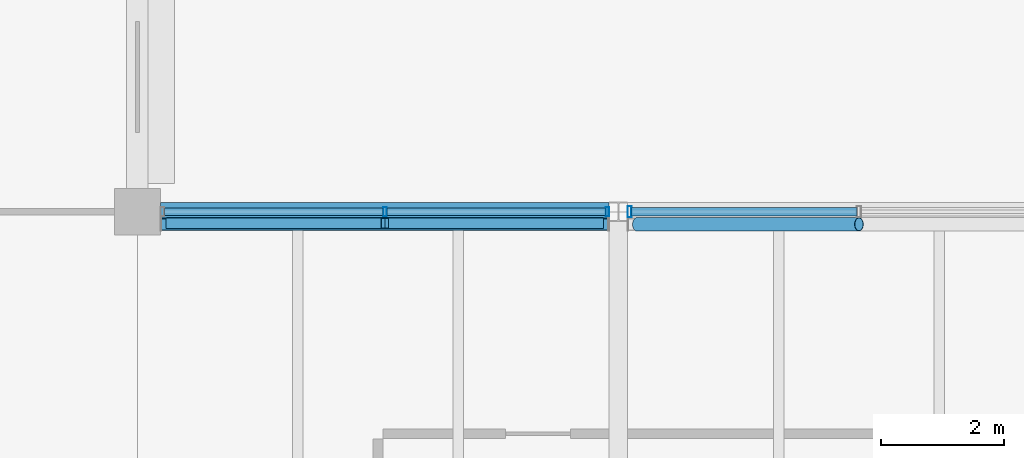
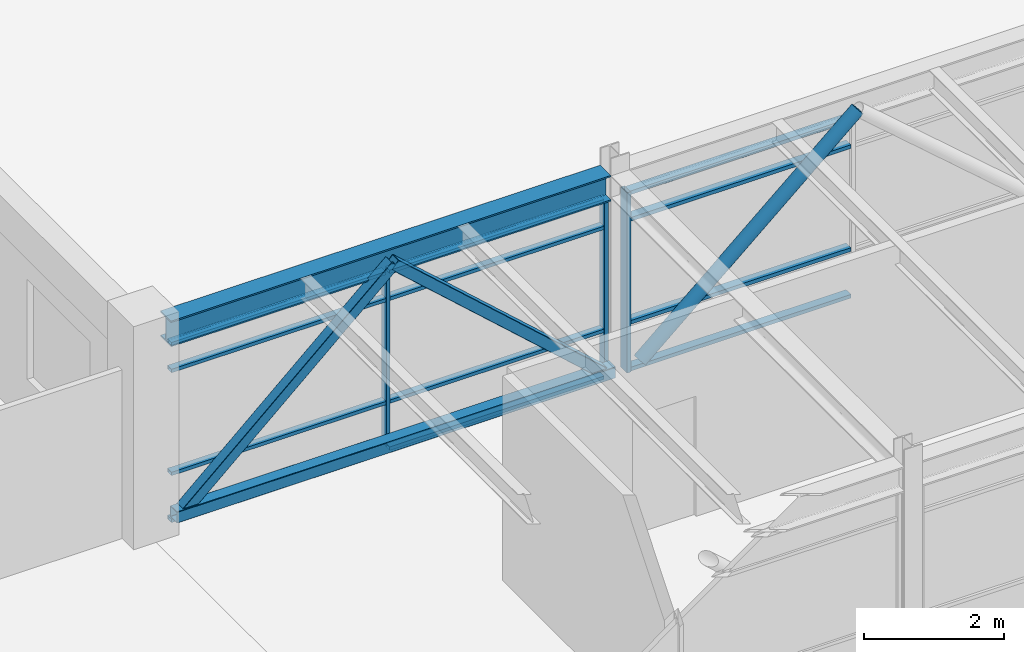
# One storey, part 13 of 72: 19 members, 1 beam, 2 elements without a shape of their own.
"""IFC4 building model written with IfcOpenShell, lengths in metres."""

import ifcopenshell
import ifcopenshell.guid

model = None  # the IFC model being written
_history = None  # IfcOwnerHistory: only IFC2X3 demands one
_inside = {}  # id of a spatial element -> (the spatial element, [elements in it])
_under = {}  # id of a project, library or spatial element -> (it, [spatial elements below it])
_declared = {}  # id of a project -> (the project, [libraries it declares])
_typed = {}  # id of a type object -> (the type object, [elements of that type])
_made_of = {}  # id of a material, layer set ... -> (it, [elements and type objects made of it])


def new_model(schema):
    """Start an empty IFC model of exactly this schema.

    Asked for "IFC4X3", IfcOpenShell would pick the latest addendum, in which some entities
    have other attributes; the version numbers below select the first issue.
    IFC2X3 requires an IfcOwnerHistory on every rooted entity: one is made here for all.
    """
    global model, _history
    if schema == "IFC4X3":
        model = ifcopenshell.file(schema_version=(4, 3, 0, 0))
    else:
        model = ifcopenshell.file(schema=schema)
    _inside.clear()
    _under.clear()
    _declared.clear()
    _typed.clear()
    _made_of.clear()
    _history = None
    if model.schema == "IFC2X3":
        org = make("IfcOrganization", Name="unknown")
        user = make(
            "IfcPersonAndOrganization",
            ThePerson=make("IfcPerson", FamilyName="unknown"),
            TheOrganization=org,
        )
        app = make(
            "IfcApplication",
            ApplicationDeveloper=org,
            Version="unknown",
            ApplicationFullName="unknown",
            ApplicationIdentifier="unknown",
        )
        _history = make(
            "IfcOwnerHistory",
            OwningUser=user,
            OwningApplication=app,
            ChangeAction="ADDED",
            CreationDate=0,
        )
    return model


def make(cls, **values):
    """One entity of the class cls with the attributes given. An attribute that is None is left unset."""
    return model.create_entity(
        cls, **{name: value for name, value in values.items() if value is not None}
    )


def rooted(cls, **values):
    """An entity with a GlobalId (a new one), such as an element, a storey or a relation."""
    return make(cls, GlobalId=ifcopenshell.guid.new(), OwnerHistory=_history, **values)


def si_unit(unit_type, name, prefix=None):
    """IfcSIUnit, for example si_unit("LENGTHUNIT", "METRE", prefix="MILLI")."""
    return make("IfcSIUnit", UnitType=unit_type, Prefix=prefix, Name=name)


def assignment(units):
    """IfcUnitAssignment: the units of a project."""
    return None if units is None else make("IfcUnitAssignment", Units=units)


def point(xyz):
    """IfcCartesianPoint."""
    return None if xyz is None else make("IfcCartesianPoint", Coordinates=xyz)


def direction(xyz):
    """IfcDirection."""
    return None if xyz is None else make("IfcDirection", DirectionRatios=xyz)


def frame(location, z_axis=None, x_axis=None):
    """IfcAxis2Placement3D, a coordinate frame: its origin and axes. An axis left out is left unset."""
    return make(
        "IfcAxis2Placement3D",
        Location=point(location),
        Axis=direction(z_axis),
        RefDirection=direction(x_axis),
    )


def frame_2d(location, x_axis=None):
    """IfcAxis2Placement2D, a coordinate frame in the plane: its origin and x axis."""
    return make(
        "IfcAxis2Placement2D", Location=point(location), RefDirection=direction(x_axis)
    )


def origin():
    """The frame at (0, 0, 0) with its axes left unset."""
    return frame((0.0, 0.0, 0.0))


def origin_2d():
    """The frame at (0, 0) in the plane with its x axis left unset."""
    return frame_2d((0.0, 0.0))


def place(relative_to, where):
    """IfcLocalPlacement: puts the frame where relative to a parent placement (None: the world)."""
    return make(
        "IfcLocalPlacement", PlacementRelTo=relative_to, RelativePlacement=where
    )


def context(
    kind, dimensions, precision=None, world=None, true_north=None, identifier=None
):
    """IfcGeometricRepresentationContext, for example the 3D "Model" context."""
    return make(
        "IfcGeometricRepresentationContext",
        ContextIdentifier=identifier,
        ContextType=kind,
        CoordinateSpaceDimension=dimensions,
        Precision=precision,
        WorldCoordinateSystem=world,
        TrueNorth=true_north,
    )


def subcontext(parent, identifier, kind, view, scale=None):
    """IfcGeometricRepresentationSubContext, for example "Body" below "Model"."""
    return make(
        "IfcGeometricRepresentationSubContext",
        ContextIdentifier=identifier,
        ContextType=kind,
        ParentContext=parent,
        TargetScale=scale,
        TargetView=view,
    )


def project(units=None, contexts=None):
    """IfcProject with its units and contexts."""
    return rooted(
        "IfcProject",
        Name="project",
        RepresentationContexts=contexts,
        UnitsInContext=assignment(units),
    )


def spatial(cls, under=None, at=None, **own):
    """A site, building, storey or space (cls), placed at a placement, below another one or the project."""
    s = rooted(cls, ObjectPlacement=at, **own)
    if under is not None:
        _under.setdefault(under.id(), (under, []))[1].append(s)
    return s


def profile(cls, at=None, kind="AREA", **sizes):
    """A parametric profile (cls). Its sizes go by their IFC names, for example OverallWidth=200.0."""
    return make(cls, ProfileType=kind, Position=at, **sizes)


def hollow_rectangle(**sizes):
    """IfcRectangleHollowProfileDef."""
    return profile("IfcRectangleHollowProfileDef", **sizes)


def hollow_circle(**sizes):
    """IfcCircleHollowProfileDef."""
    return profile("IfcCircleHollowProfileDef", **sizes)


def i_section(**sizes):
    """IfcIShapeProfileDef."""
    return profile("IfcIShapeProfileDef", **sizes)


def extrude(swept, where, along, depth):
    """IfcExtrudedAreaSolid: the profile swept, set in the frame where, extruded along a direction by depth."""
    return make(
        "IfcExtrudedAreaSolid",
        SweptArea=swept,
        Position=where,
        ExtrudedDirection=direction(along),
        Depth=depth,
    )


def shape(context_of_items, identifier, shape_type, items):
    """IfcShapeRepresentation: the items that make up one representation, for example the "Body"."""
    return make(
        "IfcShapeRepresentation",
        ContextOfItems=context_of_items,
        RepresentationIdentifier=identifier,
        RepresentationType=shape_type,
        Items=items,
    )


def material(Name=None, Category=None):
    """IfcMaterial."""
    return make("IfcMaterial", Name=Name, Category=Category)


def material_profile(
    of_material, cross_section, Name=None, Category=None, Priority=None
):
    """IfcMaterialProfile: a cross section and its material."""
    return make(
        "IfcMaterialProfile",
        Name=Name,
        Material=of_material,
        Profile=cross_section,
        Priority=Priority,
        Category=Category,
    )


def profile_set(profiles, Name=None, composite=None):
    """IfcMaterialProfileSet."""
    return make(
        "IfcMaterialProfileSet",
        Name=Name,
        MaterialProfiles=profiles,
        CompositeProfile=composite,
    )


def made_of(thing, what):
    """Note that an element or type object is made of a material, layer set ...; save() writes the relation."""
    if what is not None:
        _made_of.setdefault(what.id(), (what, []))[1].append(thing)
    return thing


def type_object(cls, material=None, **own):
    """A type object (cls), such as IfcWallType, which elements share."""
    return made_of(rooted(cls, **own), material)


def element(
    cls,
    number,
    at=None,
    inside=None,
    cuts=None,
    type_object=None,
    material=None,
    context=None,
    identifier="Body",
    shape_type=None,
    held_by="IfcProductDefinitionShape",
    body=None,
    shapes=None,
    **own,
):
    """One element of the class cls, such as IfcWall. Its Tag is "e" and its number.

    at: its placement. inside: the storey or other place that contains it. cuts: it is an
    opening in that element (IfcRelVoidsElement). A single representation is given by context,
    identifier, shape_type and body (its items); several are given by shapes. held_by: the class
    of the entity that holds the representations. save() writes the other relations.
    """
    e = rooted(cls, Tag="e%d" % number, ObjectPlacement=at, **own)
    if body is not None:
        shapes = [shape(context, identifier, shape_type, body)]
    if shapes is not None:
        e.Representation = make(held_by, Representations=shapes)
    if inside is not None:
        _inside.setdefault(inside.id(), (inside, []))[1].append(e)
    if cuts is not None:
        rooted(
            "IfcRelVoidsElement", RelatingBuildingElement=cuts, RelatedOpeningElement=e
        )
    if type_object is not None:
        _typed.setdefault(type_object.id(), (type_object, []))[1].append(e)
    return made_of(e, material)


def aggregate(whole, parts):
    """IfcRelAggregates: a whole, such as a stair, and the parts it consists of."""
    return rooted("IfcRelAggregates", RelatingObject=whole, RelatedObjects=parts)


def save(model, path):
    """Write the relations noted so far, then the file.

    IfcRelAggregates (storeys below a building ...), IfcRelContainedInSpatialStructure (elements
    in a storey), IfcRelDefinesByType, IfcRelAssociatesMaterial and IfcRelDeclares: one each for
    every whole, place, type object, material and project.
    """
    for whole, parts in _under.values():
        aggregate(whole, parts)
    for where, things in _inside.values():
        rooted(
            "IfcRelContainedInSpatialStructure",
            RelatedElements=things,
            RelatingStructure=where,
        )
    for kind, things in _typed.values():
        rooted("IfcRelDefinesByType", RelatedObjects=things, RelatingType=kind)
    for what, things in _made_of.values():
        rooted("IfcRelAssociatesMaterial", RelatedObjects=things, RelatingMaterial=what)
    for by, libraries in _declared.values():
        rooted("IfcRelDeclares", RelatingContext=by, RelatedDefinitions=libraries)
    model.write(path)


model = new_model("IFC4")

# Units and contexts
model_context = context("Model", 3, precision=1e-05, world=origin(), true_north=direction((0.0, 1.0)))
body_context = subcontext(model_context, "Body", "Model", "MODEL_VIEW")
ifc_project = project(units=[si_unit("LENGTHUNIT", "METRE"), si_unit("AREAUNIT", "SQUARE_METRE"), si_unit("VOLUMEUNIT", "CUBIC_METRE"), si_unit("PLANEANGLEUNIT", "RADIAN"), si_unit("MASSUNIT", "GRAM", prefix="KILO"), si_unit("THERMODYNAMICTEMPERATUREUNIT", "KELVIN"), si_unit("POWERUNIT", "WATT")], contexts=[model_context])

# Site, building, storey
site_placement = place(None, origin())
site = spatial("IfcSite", under=ifc_project, at=site_placement, CompositionType="ELEMENT")
building_placement = place(site_placement, origin())
building = spatial("IfcBuilding", under=site, at=building_placement, Name="Srebrne Nadtorze General Hospital", CompositionType="ELEMENT")
storey_placement = place(building_placement, frame((0.0, 0.0, 22.199951171875)))
storey = spatial("IfcBuildingStorey", under=building, at=storey_placement, Name="L05", CompositionType="ELEMENT", Elevation=22.199951171875)

# Beam
ifc_material_1 = material(Name="Steel S355J2", Category="steel")
ifc_material_profile_1 = material_profile(ifc_material_1, i_section(OverallWidth=0.300048828125, OverallDepth=0.449951171875, WebThickness=0.013916015625, FlangeThickness=0.02587890625, FilletRadius=0.027099609375, at=origin_2d()), Name="HEB-450")
ifc_profile_set_1 = profile_set([ifc_material_profile_1], Name="Steel S355J2")
beam_type = type_object("IfcBeamType", Name="Courtyard bridge girder HEB 450", PredefinedType="BEAM", material=ifc_profile_set_1)
beam_placement = place(storey_placement, frame((54.97509765625, 58.800048828125, 3.375), z_axis=(1.0, 0.0, 0.0), x_axis=(0.0, 1.0, 0.0)))
element("IfcBeam", 1, at=beam_placement, inside=storey, type_object=beam_type, Name="Beam BM-L05-X-1034", PredefinedType="BEAM", context=body_context, shape_type="SweptSolid", body=[
    extrude(i_section(OverallWidth=0.300048828125, OverallDepth=0.449951171875, WebThickness=0.013916015625, FlangeThickness=0.02587890625, FilletRadius=0.027099609375, at=origin_2d()), origin(), (0.0, 0.0, 1.0), 7.27490234375),
])

# Curtain wall, members
ifc_material_2 = material(Name="Anodised Aluminium", Category="aluminium")
curtain_wall_type_1 = type_object("IfcCurtainWallType", Name="Bridge curtain wall 7275x3150", PredefinedType="NOTDEFINED", material=ifc_material_2)
curtain_wall_1_placement = place(storey_placement, origin())
curtain_wall_1 = element("IfcCurtainWall", 2, at=curtain_wall_1_placement, inside=storey, type_object=curtain_wall_type_1, Name="Curtain wall CW-124", PredefinedType="NOTDEFINED")
ifc_material_3 = material(Name="Anodised Aluminium", Category="aluminium")
ifc_material_profile_2 = material_profile(ifc_material_3, hollow_rectangle(XDim=0.06005859375, YDim=0.14990234375, WallThickness=0.00390625, at=origin_2d()), Name="AL-MUL-60x150")
ifc_profile_set_2 = profile_set([ifc_material_profile_2], Name="Anodised Aluminium")
member_type_1 = type_object("IfcMemberType", Name="Curtain mullion 60x150", PredefinedType="MULLION", material=ifc_profile_set_2)
member_1_placement = place(storey_placement, frame((58.612548828125, 58.800048828125, 0.0), z_axis=(0.0, 0.0, 1.0), x_axis=(1.0, 0.0, 0.0)))
member_1 = element("IfcMember", 3, at=member_1_placement, type_object=member_type_1, Name="CW-124 mullion 2", PredefinedType="MULLION", context=body_context, shape_type="SweptSolid", body=[
    extrude(hollow_rectangle(XDim=0.06005859375, YDim=0.14990234375, WallThickness=0.00390625, at=origin_2d()), origin(), (0.0, 0.0, 1.0), 3.150146484375),
])
member_2_placement = place(storey_placement, frame((62.219970703125, 58.800048828125, 0.0), z_axis=(0.0, 0.0, 1.0), x_axis=(1.0, 0.0, 0.0)))
member_2 = element("IfcMember", 4, at=member_2_placement, type_object=member_type_1, Name="CW-124 mullion 3", PredefinedType="MULLION", context=body_context, shape_type="SweptSolid", body=[
    extrude(hollow_rectangle(XDim=0.06005859375, YDim=0.14990234375, WallThickness=0.00390625, at=origin_2d()), origin(), (0.0, 0.0, 1.0), 3.150146484375),
])

# Curtain wall, member
ifc_material_4 = material(Name="Anodised Aluminium", Category="aluminium")
curtain_wall_type_2 = type_object("IfcCurtainWallType", Name="Bridge curtain wall 7500x3150", PredefinedType="NOTDEFINED", material=ifc_material_4)
curtain_wall_2_placement = place(storey_placement, origin())
curtain_wall_2 = element("IfcCurtainWall", 5, at=curtain_wall_2_placement, inside=storey, type_object=curtain_wall_type_2, Name="Curtain wall CW-125", PredefinedType="NOTDEFINED")
ifc_material_5 = material(Name="Anodised Aluminium", Category="aluminium")
ifc_material_profile_3 = material_profile(ifc_material_5, hollow_rectangle(XDim=0.06494140625, YDim=0.179931640625, WallThickness=0.00390625, at=origin_2d()), Name="AL-MUL-65x180")
ifc_profile_set_3 = profile_set([ifc_material_profile_3], Name="Anodised Aluminium")
member_type_2 = type_object("IfcMemberType", Name="Curtain mullion 65x180", PredefinedType="MULLION", material=ifc_profile_set_3)
member_3_placement = place(storey_placement, frame((62.58251953125, 58.800048828125, 0.0), z_axis=(0.0, 0.0, 1.0), x_axis=(1.0, 0.0, 0.0)))
member_3 = element("IfcMember", 6, at=member_3_placement, type_object=member_type_2, Name="CW-125 mullion 1", PredefinedType="MULLION", context=body_context, shape_type="SweptSolid", body=[
    extrude(hollow_rectangle(XDim=0.06494140625, YDim=0.179931640625, WallThickness=0.00390625, at=origin_2d()), origin(), (0.0, 0.0, 1.0), 3.150146484375),
])

# Member
ifc_material_6 = material(Name="Anodised Aluminium", Category="aluminium")
ifc_material_profile_4 = material_profile(ifc_material_6, hollow_rectangle(XDim=0.06005859375, YDim=0.1201171875, WallThickness=0.00390625, at=origin_2d()), Name="AL-TRN-60x120")
ifc_profile_set_4 = profile_set([ifc_material_profile_4], Name="Anodised Aluminium")
member_type_3 = type_object("IfcMemberType", Name="Curtain transom 60x120", PredefinedType="USERDEFINED", material=ifc_profile_set_4)
member_4_placement = place(storey_placement, frame((55.034912109375, 58.800048828125, 0.030029296875), z_axis=(1.0, 0.0, 0.0), x_axis=(0.0, 0.0, 1.0)))
member_4 = element("IfcMember", 7, at=member_4_placement, type_object=member_type_3, Name="CW-124 transom 1.1", ObjectType="TRANSOM", PredefinedType="USERDEFINED", context=body_context, shape_type="SweptSolid", body=[
    extrude(hollow_rectangle(XDim=0.06005859375, YDim=0.1201171875, WallThickness=0.00390625, at=origin_2d()), origin(), (0.0, 0.0, 1.0), 3.547607421875),
])

member_5_placement = place(storey_placement, frame((55.034912109375, 58.800048828125, 0.85009765625), z_axis=(1.0, 0.0, 0.0), x_axis=(0.0, 0.0, 1.0)))
member_5 = element("IfcMember", 8, at=member_5_placement, type_object=member_type_3, Name="CW-124 transom 1.2", ObjectType="TRANSOM", PredefinedType="USERDEFINED", context=body_context, shape_type="SweptSolid", body=[
    extrude(hollow_rectangle(XDim=0.06005859375, YDim=0.1201171875, WallThickness=0.00390625, at=origin_2d()), origin(), (0.0, 0.0, 1.0), 3.547607421875),
])

member_6_placement = place(storey_placement, frame((55.034912109375, 58.800048828125, 2.650146484375), z_axis=(1.0, 0.0, 0.0), x_axis=(0.0, 0.0, 1.0)))
member_6 = element("IfcMember", 9, at=member_6_placement, type_object=member_type_3, Name="CW-124 transom 1.3", ObjectType="TRANSOM", PredefinedType="USERDEFINED", context=body_context, shape_type="SweptSolid", body=[
    extrude(hollow_rectangle(XDim=0.06005859375, YDim=0.1201171875, WallThickness=0.00390625, at=origin_2d()), origin(), (0.0, 0.0, 1.0), 3.547607421875),
])

member_7_placement = place(storey_placement, frame((55.034912109375, 58.800048828125, 3.1201171875), z_axis=(1.0, 0.0, 0.0), x_axis=(0.0, 0.0, 1.0)))
member_7 = element("IfcMember", 10, at=member_7_placement, type_object=member_type_3, Name="CW-124 transom 1.4", ObjectType="TRANSOM", PredefinedType="USERDEFINED", context=body_context, shape_type="SweptSolid", body=[
    extrude(hollow_rectangle(XDim=0.06005859375, YDim=0.1201171875, WallThickness=0.00390625, at=origin_2d()), origin(), (0.0, 0.0, 1.0), 3.547607421875),
])

member_8_placement = place(storey_placement, frame((58.642578125, 58.800048828125, 0.030029296875), z_axis=(1.0, 0.0, 0.0), x_axis=(0.0, 0.0, 1.0)))
member_8 = element("IfcMember", 11, at=member_8_placement, type_object=member_type_3, Name="CW-124 transom 2.1", ObjectType="TRANSOM", PredefinedType="USERDEFINED", context=body_context, shape_type="SweptSolid", body=[
    extrude(hollow_rectangle(XDim=0.06005859375, YDim=0.1201171875, WallThickness=0.00390625, at=origin_2d()), origin(), (0.0, 0.0, 1.0), 3.54736328125),
])

member_9_placement = place(storey_placement, frame((58.642578125, 58.800048828125, 0.85009765625), z_axis=(1.0, 0.0, 0.0), x_axis=(0.0, 0.0, 1.0)))
member_9 = element("IfcMember", 12, at=member_9_placement, type_object=member_type_3, Name="CW-124 transom 2.2", ObjectType="TRANSOM", PredefinedType="USERDEFINED", context=body_context, shape_type="SweptSolid", body=[
    extrude(hollow_rectangle(XDim=0.06005859375, YDim=0.1201171875, WallThickness=0.00390625, at=origin_2d()), origin(), (0.0, 0.0, 1.0), 3.54736328125),
])

member_10_placement = place(storey_placement, frame((58.642578125, 58.800048828125, 2.650146484375), z_axis=(1.0, 0.0, 0.0), x_axis=(0.0, 0.0, 1.0)))
member_10 = element("IfcMember", 13, at=member_10_placement, type_object=member_type_3, Name="CW-124 transom 2.3", ObjectType="TRANSOM", PredefinedType="USERDEFINED", context=body_context, shape_type="SweptSolid", body=[
    extrude(hollow_rectangle(XDim=0.06005859375, YDim=0.1201171875, WallThickness=0.00390625, at=origin_2d()), origin(), (0.0, 0.0, 1.0), 3.54736328125),
])

member_11_placement = place(storey_placement, frame((58.642578125, 58.800048828125, 3.1201171875), z_axis=(1.0, 0.0, 0.0), x_axis=(0.0, 0.0, 1.0)))
member_11 = element("IfcMember", 14, at=member_11_placement, type_object=member_type_3, Name="CW-124 transom 2.4", ObjectType="TRANSOM", PredefinedType="USERDEFINED", context=body_context, shape_type="SweptSolid", body=[
    extrude(hollow_rectangle(XDim=0.06005859375, YDim=0.1201171875, WallThickness=0.00390625, at=origin_2d()), origin(), (0.0, 0.0, 1.0), 3.54736328125),
])

aggregate(curtain_wall_1, [member_1, member_2, member_4, member_5, member_6, member_7, member_8, member_9, member_10, member_11])

ifc_material_7 = material(Name="Anodised Aluminium", Category="aluminium")
ifc_material_profile_5 = material_profile(ifc_material_7, hollow_rectangle(XDim=0.06494140625, YDim=0.139892578125, WallThickness=0.00390625, at=origin_2d()), Name="AL-TRN-65x140")
ifc_profile_set_5 = profile_set([ifc_material_profile_5], Name="Anodised Aluminium")
member_type_4 = type_object("IfcMemberType", Name="Curtain transom 65x140", PredefinedType="USERDEFINED", material=ifc_profile_set_5)
member_12_placement = place(storey_placement, frame((62.614990234375, 58.800048828125, 0.032470703125), z_axis=(1.0, 0.0, 0.0), x_axis=(0.0, 0.0, 1.0)))
member_12 = element("IfcMember", 15, at=member_12_placement, type_object=member_type_4, Name="CW-125 transom 1.1", ObjectType="TRANSOM", PredefinedType="USERDEFINED", context=body_context, shape_type="SweptSolid", body=[
    extrude(hollow_rectangle(XDim=0.06494140625, YDim=0.139892578125, WallThickness=0.00390625, at=origin_2d()), origin(), (0.0, 0.0, 1.0), 3.652587890625),
])

member_13_placement = place(storey_placement, frame((62.614990234375, 58.800048828125, 0.85009765625), z_axis=(1.0, 0.0, 0.0), x_axis=(0.0, 0.0, 1.0)))
member_13 = element("IfcMember", 16, at=member_13_placement, type_object=member_type_4, Name="CW-125 transom 1.2", ObjectType="TRANSOM", PredefinedType="USERDEFINED", context=body_context, shape_type="SweptSolid", body=[
    extrude(hollow_rectangle(XDim=0.06494140625, YDim=0.139892578125, WallThickness=0.00390625, at=origin_2d()), origin(), (0.0, 0.0, 1.0), 3.652587890625),
])

member_14_placement = place(storey_placement, frame((62.614990234375, 58.800048828125, 2.650146484375), z_axis=(1.0, 0.0, 0.0), x_axis=(0.0, 0.0, 1.0)))
member_14 = element("IfcMember", 17, at=member_14_placement, type_object=member_type_4, Name="CW-125 transom 1.3", ObjectType="TRANSOM", PredefinedType="USERDEFINED", context=body_context, shape_type="SweptSolid", body=[
    extrude(hollow_rectangle(XDim=0.06494140625, YDim=0.139892578125, WallThickness=0.00390625, at=origin_2d()), origin(), (0.0, 0.0, 1.0), 3.652587890625),
])

member_15_placement = place(storey_placement, frame((62.614990234375, 58.800048828125, 3.117431640625), z_axis=(1.0, 0.0, 0.0), x_axis=(0.0, 0.0, 1.0)))
member_15 = element("IfcMember", 18, at=member_15_placement, type_object=member_type_4, Name="CW-125 transom 1.4", ObjectType="TRANSOM", PredefinedType="USERDEFINED", context=body_context, shape_type="SweptSolid", body=[
    extrude(hollow_rectangle(XDim=0.06494140625, YDim=0.139892578125, WallThickness=0.00390625, at=origin_2d()), origin(), (0.0, 0.0, 1.0), 3.652587890625),
])

aggregate(curtain_wall_2, [member_3, member_12, member_13, member_14, member_15])

# Members
ifc_material_8 = material(Name="Steel S355J2", Category="steel")
ifc_material_profile_6 = material_profile(ifc_material_8, hollow_circle(Radius=0.109619140625, WallThickness=0.008056640625, at=origin_2d()), Name="CHS-219.1x8")
ifc_profile_set_6 = profile_set([ifc_material_profile_6], Name="Steel S355J2")
member_type_5 = type_object("IfcMemberType", Name="Diagonal brace CHS 219.1x8", PredefinedType="BRACE", material=ifc_profile_set_6)
member_16_placement = place(storey_placement, frame((62.699951171875, 58.595458984375, 0.25), z_axis=(0.754646285498, 0.0, 0.656131834149), x_axis=(0.0, 1.0, 0.0)))
element("IfcMember", 19, at=member_16_placement, inside=storey, type_object=member_type_5, Name="Clinical courtyard bridge brace 15", PredefinedType="BRACE", context=body_context, shape_type="SweptSolid", body=[
    extrude(hollow_circle(Radius=0.109619140625, WallThickness=0.008056640625, at=origin_2d()), origin(), (0.0, 0.0, 1.0), 4.7705078125),
])
ifc_material_9 = material(Name="Steel S355J2", Category="steel")
ifc_material_profile_7 = material_profile(ifc_material_9, hollow_rectangle(XDim=0.179931640625, YDim=0.179931640625, WallThickness=0.008056640625, InnerFilletRadius=0.008056640625, OuterFilletRadius=0.011962890625, at=origin_2d()), Name="SHS-180x180x8")
ifc_profile_set_7 = profile_set([ifc_material_profile_7], Name="Steel S355J2")
member_type_6 = type_object("IfcMemberType", Name="Diagonal brace SHS 180x180x8", PredefinedType="BRACE", material=ifc_profile_set_7)
for number, where, z_axis, x_axis, name in (
    (20, (55.125, 58.614990234375, 0.25), (0.744213065874, 0.0, 0.667942297345), (0.0, 1.0, 0.0), "Clinical courtyard bridge brace 13"),
    (21, (62.10009765625, 58.614990234375, 0.25), (-0.744213065874, 0.0, 0.667942297345), (0.0, -1.0, 0.0), "Clinical courtyard bridge brace 14"),
):
    element("IfcMember", number, at=place(storey_placement, frame(where, z_axis=z_axis, x_axis=x_axis)), inside=storey, type_object=member_type_6, Name=name, PredefinedType="BRACE", context=body_context, shape_type="SweptSolid", body=[
        extrude(hollow_rectangle(XDim=0.179931640625, YDim=0.179931640625, WallThickness=0.008056640625, InnerFilletRadius=0.008056640625, OuterFilletRadius=0.011962890625, at=origin_2d()), origin(), (0.0, 0.0, 1.0), 4.686279296875),
    ])
ifc_material_10 = material(Name="Steel S355J2", Category="steel")
ifc_material_profile_8 = material_profile(ifc_material_10, hollow_rectangle(XDim=0.199951171875, YDim=0.199951171875, WallThickness=0.010009765625, InnerFilletRadius=0.010009765625, OuterFilletRadius=0.014892578125, at=origin_2d()), Name="SHS-200x200x10")
ifc_profile_set_8 = profile_set([ifc_material_profile_8], Name="Steel S355J2")
member_type_7 = type_object("IfcMemberType", Name="Truss chord SHS 200x200x10", PredefinedType="CHORD", material=ifc_profile_set_8)
member_17_placement = place(storey_placement, frame((54.987060546875, 58.594970703125, 0.25), z_axis=(1.0, 0.0, 0.0), x_axis=(0.0, 1.0, 0.0)))
element("IfcMember", 22, at=member_17_placement, inside=storey, type_object=member_type_7, Name="Clinical courtyard bridge truss chord 7", PredefinedType="CHORD", context=body_context, shape_type="SweptSolid", body=[
    extrude(hollow_rectangle(XDim=0.199951171875, YDim=0.199951171875, WallThickness=0.010009765625, InnerFilletRadius=0.010009765625, OuterFilletRadius=0.014892578125, at=origin_2d()), origin(), (0.0, 0.0, 1.0), 7.2509765625),
])

save(model, "model.ifc")
